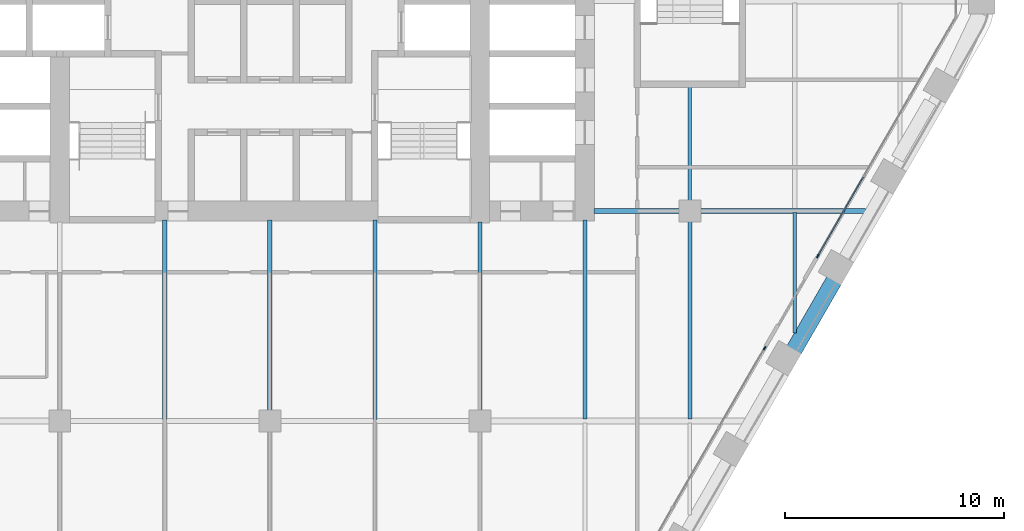
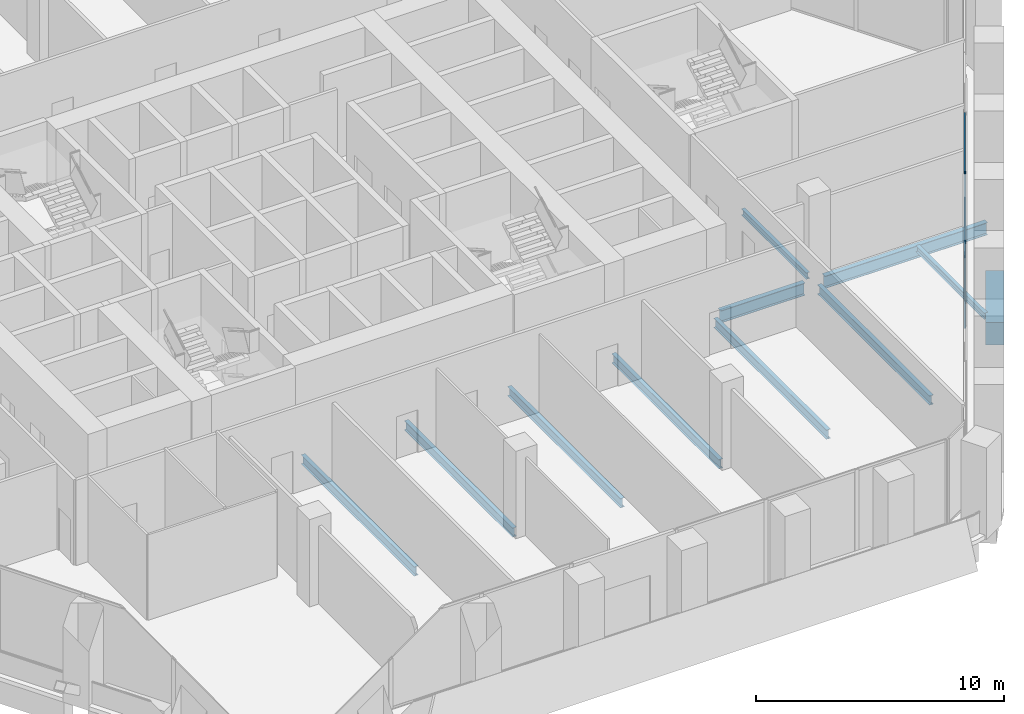
# One storey, part 5 of 27: 11 beams, 4 members, 2 elements without a shape of their own.
"""IFC4 building model written with IfcOpenShell, lengths in metres."""

from ifc_helpers import new_model, si_unit, direction, frame, origin, origin_2d, place, context, subcontext, project, spatial, rectangle, i_section, extrude, material, material_profile, profile_set, type_object, element, aggregate, save


model = new_model("IFC4")

# Units and contexts
model_context = context("Model", 3, precision=1e-05, world=origin(), true_north=direction((0.0, 1.0)))
body_context = subcontext(model_context, "Body", "Model", "MODEL_VIEW")
ifc_project = project(units=[si_unit("LENGTHUNIT", "METRE"), si_unit("AREAUNIT", "SQUARE_METRE"), si_unit("VOLUMEUNIT", "CUBIC_METRE"), si_unit("PLANEANGLEUNIT", "RADIAN"), si_unit("MASSUNIT", "GRAM", prefix="KILO")], contexts=[model_context])

# Site, building, storey
site_placement = place(None, origin())
site = spatial("IfcSite", under=ifc_project, at=site_placement, CompositionType="ELEMENT")
building_placement = place(site_placement, origin())
building = spatial("IfcBuilding", under=site, at=building_placement, Name="Kolab Exchange Tower", CompositionType="ELEMENT")
storey_placement = place(building_placement, frame((0.0, 0.0, 118.39990234375)))
storey = spatial("IfcBuildingStorey", under=building, at=storey_placement, Name="L23", CompositionType="ELEMENT", Elevation=118.39990234375)

# Beams
ifc_material_1 = material(Name="Steel S355", Category="steel")
ifc_material_profile_1 = material_profile(ifc_material_1, i_section(OverallWidth=0.1650390625, OverallDepth=0.31005859375, WebThickness=0.005859375, FlangeThickness=0.009765625, at=origin_2d()), Name="W310X39")
ifc_profile_set_1 = profile_set([ifc_material_profile_1], Name="Steel S355")
beam_type_1 = type_object("IfcBeamType", Name="FLOOR BEAM W310X39", PredefinedType="BEAM", material=ifc_profile_set_1)
beam_1_placement = place(storey_placement, frame((19.199951171875, -9.139892578125, -0.35498046875), z_axis=(0.0, 1.0, 0.0), x_axis=(-1.0, 0.0, 0.0)))
element("IfcBeam", 1, at=beam_1_placement, inside=storey, type_object=beam_type_1, Name="beam/L23/fr/042", PredefinedType="BEAM", context=body_context, shape_type="SweptSolid", body=[
    extrude(i_section(OverallWidth=0.1650390625, OverallDepth=0.31005859375, WebThickness=0.005859375, FlangeThickness=0.009765625, at=origin_2d()), origin(), (0.0, 0.0, 1.0), 5.22998046875),
])
beam_2_placement = place(storey_placement, frame((24.0, -15.167724609375, -0.35498046875), z_axis=(0.0, 1.0, 0.0), x_axis=(-1.0, 0.0, 0.0)))
element("IfcBeam", 2, at=beam_2_placement, inside=storey, type_object=beam_type_1, Name="beam/L23/fr/046", PredefinedType="BEAM", context=body_context, shape_type="SweptSolid", body=[
    extrude(i_section(OverallWidth=0.1650390625, OverallDepth=0.31005859375, WebThickness=0.005859375, FlangeThickness=0.009765625, at=origin_2d()), origin(), (0.0, 0.0, 1.0), 5.49365234375),
])
ifc_material_profile_2 = material_profile(ifc_material_1, i_section(OverallWidth=0.18994140625, OverallDepth=0.45703125, WebThickness=0.009033203125, FlangeThickness=0.014404296875, at=origin_2d()), Name="W460X74")
ifc_profile_set_2 = profile_set([ifc_material_profile_2], Name="Steel S355")
beam_type_2 = type_object("IfcBeamType", Name="FLOOR BEAM W460X74", PredefinedType="BEAM", material=ifc_profile_set_2)
beam_3_placement = place(storey_placement, frame((-4.800048828125, -19.1259765625, -0.428466796875), z_axis=(0.0, 1.0, 0.0), x_axis=(-1.0, 0.0, 0.0)))
element("IfcBeam", 3, at=beam_3_placement, inside=storey, type_object=beam_type_2, Name="beam/L23/fr/021", PredefinedType="BEAM", context=body_context, shape_type="SweptSolid", body=[
    extrude(i_section(OverallWidth=0.18994140625, OverallDepth=0.45703125, WebThickness=0.009033203125, FlangeThickness=0.014404296875, at=origin_2d()), origin(), (0.0, 0.0, 1.0), 9.115966796875),
])
beam_4_placement = place(storey_placement, frame((0.0, -18.739990234375, -0.428466796875), z_axis=(0.0, 1.0, 0.0), x_axis=(-1.0, 0.0, 0.0)))
element("IfcBeam", 4, at=beam_4_placement, inside=storey, type_object=beam_type_2, Name="beam/L23/fr/025", PredefinedType="BEAM", context=body_context, shape_type="SweptSolid", body=[
    extrude(i_section(OverallWidth=0.18994140625, OverallDepth=0.45703125, WebThickness=0.009033203125, FlangeThickness=0.014404296875, at=origin_2d()), origin(), (0.0, 0.0, 1.0), 8.72998046875),
])
beam_5_placement = place(storey_placement, frame((4.800048828125, -19.1259765625, -0.428466796875), z_axis=(0.0, 1.0, 0.0), x_axis=(-1.0, 0.0, 0.0)))
element("IfcBeam", 5, at=beam_5_placement, inside=storey, type_object=beam_type_2, Name="beam/L23/fr/029", PredefinedType="BEAM", context=body_context, shape_type="SweptSolid", body=[
    extrude(i_section(OverallWidth=0.18994140625, OverallDepth=0.45703125, WebThickness=0.009033203125, FlangeThickness=0.014404296875, at=origin_2d()), origin(), (0.0, 0.0, 1.0), 9.115966796875),
])
beam_6_placement = place(storey_placement, frame((9.60009765625, -18.739990234375, -0.428466796875), z_axis=(0.0, 1.0, 0.0), x_axis=(-1.0, 0.0, 0.0)))
element("IfcBeam", 6, at=beam_6_placement, inside=storey, type_object=beam_type_2, Name="beam/L23/fr/033", PredefinedType="BEAM", context=body_context, shape_type="SweptSolid", body=[
    extrude(i_section(OverallWidth=0.18994140625, OverallDepth=0.45703125, WebThickness=0.009033203125, FlangeThickness=0.014404296875, at=origin_2d()), origin(), (0.0, 0.0, 1.0), 8.6298828125),
])
beam_7_placement = place(storey_placement, frame((14.39990234375, -19.1064453125, -0.428466796875), z_axis=(0.0, 1.0, 0.0), x_axis=(-1.0, 0.0, 0.0)))
element("IfcBeam", 7, at=beam_7_placement, inside=storey, type_object=beam_type_2, Name="beam/L23/fr/037", PredefinedType="BEAM", context=body_context, shape_type="SweptSolid", body=[
    extrude(i_section(OverallWidth=0.18994140625, OverallDepth=0.45703125, WebThickness=0.009033203125, FlangeThickness=0.014404296875, at=origin_2d()), origin(), (0.0, 0.0, 1.0), 9.096435546875),
])
beam_8_placement = place(storey_placement, frame((19.199951171875, -19.1064453125, -0.428466796875), z_axis=(0.0, 1.0, 0.0), x_axis=(-1.0, 0.0, 0.0)))
element("IfcBeam", 8, at=beam_8_placement, inside=storey, type_object=beam_type_2, Name="beam/L23/fr/041", PredefinedType="BEAM", context=body_context, shape_type="SweptSolid", body=[
    extrude(i_section(OverallWidth=0.18994140625, OverallDepth=0.45703125, WebThickness=0.009033203125, FlangeThickness=0.014404296875, at=origin_2d()), origin(), (0.0, 0.0, 1.0), 9.04638671875),
])
ifc_material_profile_3 = material_profile(ifc_material_1, i_section(OverallWidth=0.22802734375, OverallDepth=0.60791015625, WebThickness=0.01123046875, FlangeThickness=0.017333984375, at=origin_2d()), Name="W610X113")
ifc_profile_set_3 = profile_set([ifc_material_profile_3], Name="Steel S355")
beam_type_3 = type_object("IfcBeamType", Name="FLOOR GIRDER W610X113", PredefinedType="BEAM", material=ifc_profile_set_3)
beam_9_placement = place(storey_placement, frame((14.81005859375, -9.60009765625, -0.50390625), z_axis=(1.0, 0.0, 0.0), x_axis=(0.0, 1.0, 0.0)))
element("IfcBeam", 9, at=beam_9_placement, inside=storey, type_object=beam_type_3, Name="beam/L23/gd/014", PredefinedType="BEAM", context=body_context, shape_type="SweptSolid", body=[
    extrude(i_section(OverallWidth=0.22802734375, OverallDepth=0.60791015625, WebThickness=0.01123046875, FlangeThickness=0.017333984375, at=origin_2d()), origin(), (0.0, 0.0, 1.0), 3.929931640625),
])
beam_10_placement = place(storey_placement, frame((19.659912109375, -9.60009765625, -0.50390625), z_axis=(1.0, 0.0, 0.0), x_axis=(0.0, 1.0, 0.0)))
element("IfcBeam", 10, at=beam_10_placement, inside=storey, type_object=beam_type_3, Name="beam/L23/gd/017", PredefinedType="BEAM", context=body_context, shape_type="SweptSolid", body=[
    extrude(i_section(OverallWidth=0.22802734375, OverallDepth=0.60791015625, WebThickness=0.01123046875, FlangeThickness=0.017333984375, at=origin_2d()), origin(), (0.0, 0.0, 1.0), 7.571533203125),
])
ifc_material_2 = material(Name="Concrete C70/85", Category="concrete")
ifc_material_profile_4 = material_profile(ifc_material_2, rectangle(XDim=0.75, YDim=1.10009765625, at=origin_2d()), Name="RC750X1100")
ifc_profile_set_4 = profile_set([ifc_material_profile_4], Name="Concrete C70/85")
beam_type_4 = type_object("IfcBeamType", Name="SPANDREL BEAM 750X1100 C70/85", PredefinedType="BEAM", material=ifc_profile_set_4)
beam_11_placement = place(storey_placement, frame((25.795166015625, -12.768310546875, -0.75), z_axis=(-0.499963655964, -0.866046386007, 0.0), x_axis=(0.866046386007, -0.499963655964, 0.0)))
element("IfcBeam", 11, at=beam_11_placement, inside=storey, type_object=beam_type_4, Name="beam/L23/sp/F3-04", PredefinedType="BEAM", context=body_context, shape_type="SweptSolid", body=[
    extrude(rectangle(XDim=0.75, YDim=1.10009765625, at=origin_2d()), origin(), (0.0, 0.0, 1.0), 3.679931640625),
])

# Curtain wall, member
ifc_material_3 = material(Name="Aluminium EN AW-6063 T6", Category="aluminium")
curtain_wall_type = type_object("IfcCurtainWallType", Name="UNITISED LOWER MID ZONE CURTAIN WALL", PredefinedType="NOTDEFINED", material=ifc_material_3)
curtain_wall_1_placement = place(storey_placement, origin())
curtain_wall_1 = element("IfcCurtainWall", 12, at=curtain_wall_1_placement, inside=storey, type_object=curtain_wall_type, Name="cw/L23/F3-1", PredefinedType="NOTDEFINED")
ifc_material_profile_5 = material_profile(ifc_material_3, rectangle(XDim=0.06005859375, YDim=0.179931640625, at=origin_2d()), Name="RECT 60X180")
ifc_profile_set_5 = profile_set([ifc_material_profile_5], Name="Aluminium EN AW-6063 T6")
member_type_1 = type_object("IfcMemberType", Name="UNITISED LOWER MID ZONE MULLION 60 X 180", PredefinedType="MULLION", material=ifc_profile_set_5)
member_1_placement = place(storey_placement, frame((25.046630859375, -11.65478515625, 0.0), z_axis=(0.0, 0.0, 1.0), x_axis=(0.866025427826, -0.499999958358, 0.0)))
member_1 = element("IfcMember", 13, at=member_1_placement, type_object=member_type_1, Name="CW2 mullion 4", PredefinedType="MULLION", context=body_context, shape_type="SweptSolid", body=[
    extrude(rectangle(XDim=0.06005859375, YDim=0.179931640625, at=origin_2d()), origin(), (0.0, 0.0, 1.0), 4.2001953125),
])

curtain_wall_2_placement = place(storey_placement, origin())
curtain_wall_2 = element("IfcCurtainWall", 14, at=curtain_wall_2_placement, inside=storey, type_object=curtain_wall_type, Name="cw/L23/F3-2", PredefinedType="NOTDEFINED")
member_2_placement = place(storey_placement, frame((22.61669921875, -15.86376953125, 0.0), z_axis=(0.0, 0.0, 1.0), x_axis=(0.866025393644, -0.500000017564, 0.0)))
member_2 = element("IfcMember", 15, at=member_2_placement, type_object=member_type_1, Name="CW2 mullion 1", PredefinedType="MULLION", context=body_context, shape_type="SweptSolid", body=[
    extrude(rectangle(XDim=0.06005859375, YDim=0.179931640625, at=origin_2d()), origin(), (0.0, 0.0, 1.0), 4.2001953125),
])
aggregate(curtain_wall_2, [member_2])

# Member
ifc_material_profile_6 = material_profile(ifc_material_3, rectangle(XDim=0.06005859375, YDim=0.1201171875, at=origin_2d()), Name="RECT 60X120")
ifc_profile_set_6 = profile_set([ifc_material_profile_6], Name="Aluminium EN AW-6063 T6")
member_type_2 = type_object("IfcMemberType", Name="UNITISED LOWER MID ZONE TRANSOM 60 X 120", PredefinedType="USERDEFINED", material=ifc_profile_set_6)
member_3_placement = place(storey_placement, frame((27.1279296875, -8.0498046875, 0.030029296875), z_axis=(-0.499957688808, -0.866049830784, 0.0), x_axis=(0.866049830784, -0.499957688808, 0.0)))
member_3 = element("IfcMember", 16, at=member_3_placement, type_object=member_type_2, Name="CW2 transom 3.1", ObjectType="TRANSOM", PredefinedType="USERDEFINED", context=body_context, shape_type="SweptSolid", body=[
    extrude(rectangle(XDim=0.06005859375, YDim=0.1201171875, at=origin_2d()), origin(), (0.0, 0.0, 1.0), 4.132568359375),
])

member_4_placement = place(storey_placement, frame((27.1279296875, -8.0498046875, 4.170166015625), z_axis=(-0.499957688808, -0.866049830784, 0.0), x_axis=(0.866049830784, -0.499957688808, 0.0)))
member_4 = element("IfcMember", 17, at=member_4_placement, type_object=member_type_2, Name="CW2 transom 3.2", ObjectType="TRANSOM", PredefinedType="USERDEFINED", context=body_context, shape_type="SweptSolid", body=[
    extrude(rectangle(XDim=0.06005859375, YDim=0.1201171875, at=origin_2d()), origin(), (0.0, 0.0, 1.0), 4.132568359375),
])

aggregate(curtain_wall_1, [member_1, member_3, member_4])

save(model, "model.ifc")
